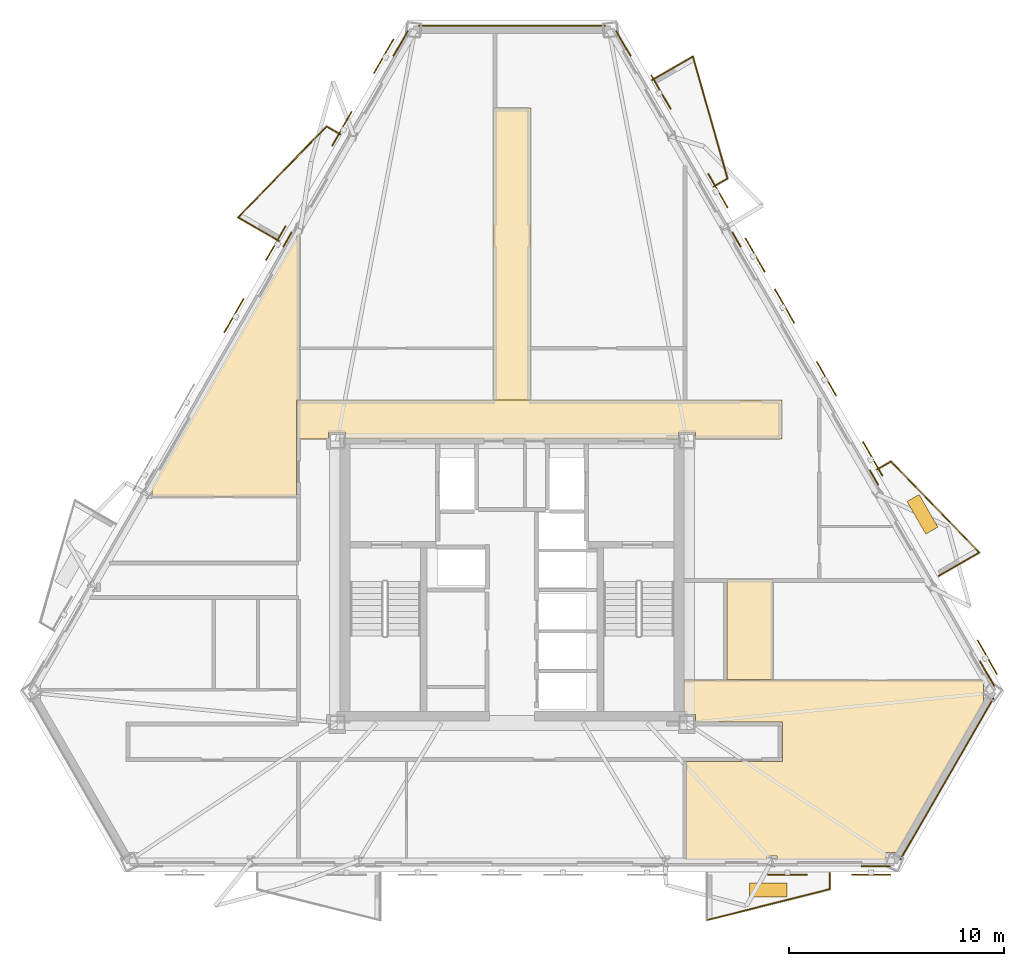
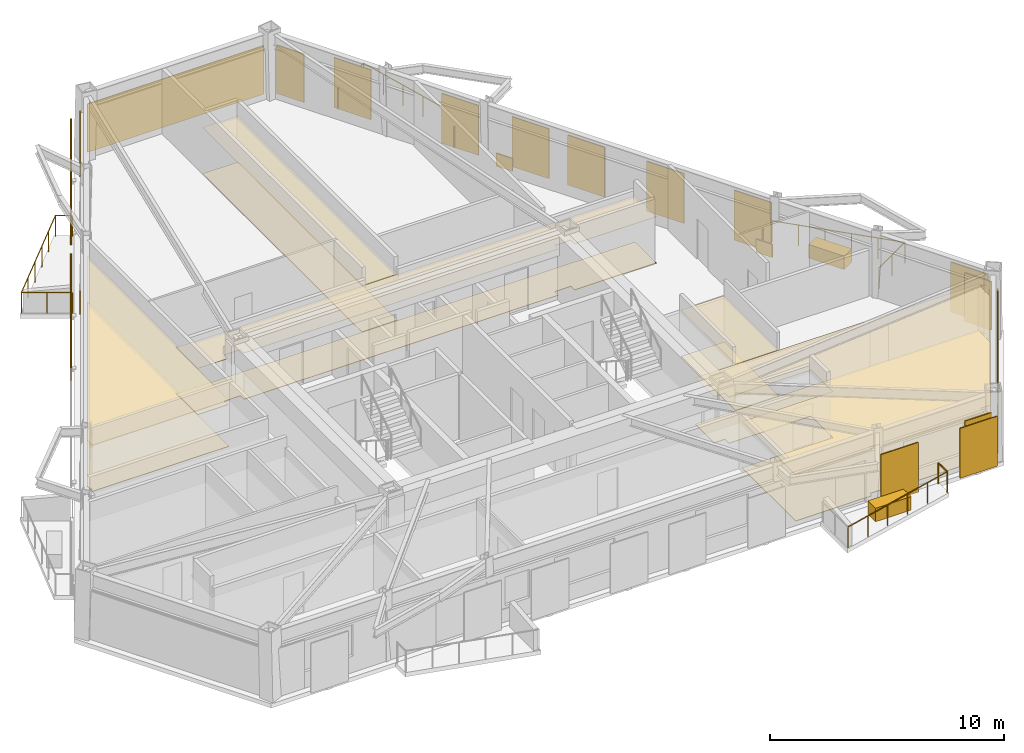
# One storey, part 9 of 9: 21 coverings, 13 shading devices, 11 railings.
"""IFC4 building model written with IfcOpenShell, lengths in metres."""

from ifc_helpers import new_model, si_unit, direction, frame, origin, origin_2d, place, context, subcontext, project, spatial, polyline, rectangle, circle, outline, extrude, material, layer, layer_set, type_object, element, save


model = new_model("IFC4")

# Units and contexts
model_context = context("Model", 3, precision=1e-05, world=origin(), true_north=direction((0.0, 1.0)))
body_context = subcontext(model_context, "Body", "Model", "MODEL_VIEW")
ifc_project = project(units=[si_unit("LENGTHUNIT", "METRE"), si_unit("AREAUNIT", "SQUARE_METRE"), si_unit("VOLUMEUNIT", "CUBIC_METRE"), si_unit("PLANEANGLEUNIT", "RADIAN"), si_unit("MASSUNIT", "GRAM", prefix="KILO")], contexts=[model_context])

# Site, building, storey
site_placement = place(None, origin())
site = spatial("IfcSite", under=ifc_project, at=site_placement, CompositionType="ELEMENT")
building_placement = place(site_placement, origin())
building = spatial("IfcBuilding", under=site, at=building_placement, Name="Oramaril Tower", CompositionType="ELEMENT")
storey_placement = place(building_placement, frame((0.0, 0.0, 156.60009765625)))
storey = spatial("IfcBuildingStorey", under=building, at=storey_placement, Name="L41", CompositionType="ELEMENT", Elevation=156.60009765625)

# Coverings
ifc_material_1 = material(Name="Mineral Fibre Acoustic Ceiling")
ifc_layer_1 = layer(ifc_material_1, 0.02001953125)
ifc_layer_set_1 = layer_set([ifc_layer_1], Name="CVT-CEIL")
covering_type_1 = type_object("IfcCoveringType", Name="CVT-CEIL", PredefinedType="CEILING", material=ifc_layer_set_1)
covering_1_placement = place(storey_placement, frame((0.0, 0.0, 2.411865234375)))
element("IfcCovering", 1, at=covering_1_placement, inside=storey, type_object=covering_type_1, Name="L41 Acoustic Suspended Ceiling 2", PredefinedType="CEILING", context=body_context, shape_type="SweptSolid", body=[
    extrude(outline(polyline([(50.080078125, 24.239990234375), (46.044921875, 24.239990234375), (46.044921875, 24.544921875), (45.2548828125, 24.544921875), (45.2548828125, 24.25), (29.7451171875, 24.25), (29.7451171875, 24.544921875), (28.955078125, 24.544921875), (28.955078125, 24.239990234375), (27.469970703125, 24.239990234375), (27.469970703125, 26.050048828125), (50.080078125, 26.050048828125), (50.080078125, 24.239990234375)])), origin(), (0.0, 0.0, 1.0), 0.02001953125),
])
covering_2_placement = place(storey_placement, frame((0.0, 0.0, 2.411865234375)))
element("IfcCovering", 2, at=covering_2_placement, inside=storey, type_object=covering_type_1, Name="L41 Acoustic Suspended Ceiling 4", PredefinedType="CEILING", context=body_context, shape_type="SweptSolid", body=[
    extrude(outline(polyline([(38.3798828125, 26.070068359375), (36.6201171875, 26.070068359375), (36.6201171875, 39.679931640625), (38.3798828125, 39.679931640625), (38.3798828125, 26.070068359375)])), origin(), (0.0, 0.0, 1.0), 0.02001953125),
])
covering_3_placement = place(storey_placement, frame((0.0, 0.0, 2.411865234375)))
element("IfcCovering", 3, at=covering_3_placement, inside=storey, type_object=covering_type_1, Name="L41 Acoustic Suspended Ceiling 12", PredefinedType="CEILING", context=body_context, shape_type="SweptSolid", body=[
    extrude(outline(polyline([(20.71728515625, 21.53857421875), (20.71728515625, 21.947021484375), (20.68994140625, 21.947021484375), (27.542724609375, 33.81591796875), (27.592041015625, 33.81591796875), (27.592041015625, 26.070068359375), (27.469970703125, 26.070068359375), (27.468017578125, 26.06982421875), (27.466064453125, 26.069580078125), (27.464111328125, 26.069091796875), (27.46240234375, 26.068603515625), (27.460693359375, 26.067626953125), (27.458984375, 26.066650390625), (27.457275390625, 26.0654296875), (27.455810546875, 26.064208984375), (27.45458984375, 26.062744140625), (27.453369140625, 26.06103515625), (27.452392578125, 26.059326171875), (27.451416015625, 26.0576171875), (27.450927734375, 26.055908203125), (27.450439453125, 26.053955078125), (27.4501953125, 26.052001953125), (27.449951171875, 26.050048828125), (27.449951171875, 24.239990234375), (27.4501953125, 24.238037109375), (27.450439453125, 24.236083984375), (27.450927734375, 24.234130859375), (27.451416015625, 24.232421875), (27.452392578125, 24.230712890625), (27.45263671875, 24.22998046875), (27.452392578125, 24.2294921875), (27.451416015625, 24.227783203125), (27.450927734375, 24.225830078125), (27.450439453125, 24.223876953125), (27.4501953125, 24.221923828125), (27.449951171875, 24.219970703125), (27.449951171875, 21.53857421875), (20.71728515625, 21.53857421875)])), origin(), (0.0, 0.0, 1.0), 0.02001953125),
])
covering_4_placement = place(storey_placement, frame((0.0, 0.0, 2.411865234375)))
element("IfcCovering", 4, at=covering_4_placement, inside=storey, type_object=covering_type_1, Name="L41 Acoustic Suspended Ceiling 14", PredefinedType="CEILING", context=body_context, shape_type="SweptSolid", body=[
    extrude(outline(polyline([(46.044921875, 11.39501953125), (45.51806640625, 11.39501953125), (45.51806640625, 13.015869140625), (59.46630859375, 13.015869140625), (59.56396484375, 12.8466796875), (59.483154296875, 12.8466796875), (59.483154296875, 12.0400390625), (59.525390625, 12.0400390625), (55.43603515625, 4.956787109375), (54.93310546875, 4.956787109375), (54.93310546875, 4.61865234375), (49.84814453125, 4.61865234375), (49.84814453125, 4.80615234375), (49.38671875, 4.80615234375), (49.38671875, 4.61865234375), (45.6220703125, 4.61865234375), (45.6220703125, 9.199951171875), (50.080078125, 9.199951171875), (50.08203125, 9.2001953125), (50.083984375, 9.200439453125), (50.085693359375, 9.200927734375), (50.087646484375, 9.201416015625), (50.08935546875, 9.202392578125), (50.091064453125, 9.203369140625), (50.0927734375, 9.20458984375), (50.093994140625, 9.205810546875), (50.095458984375, 9.207275390625), (50.0966796875, 9.208984375), (50.09765625, 9.210693359375), (50.098388671875, 9.21240234375), (50.09912109375, 9.214111328125), (50.099609375, 9.216064453125), (50.099853515625, 9.218017578125), (50.10009765625, 9.219970703125), (50.10009765625, 11.030029296875), (50.099853515625, 11.031982421875), (50.099609375, 11.033935546875), (50.09912109375, 11.035888671875), (50.098388671875, 11.03759765625), (50.09765625, 11.039306640625), (50.0966796875, 11.041015625), (50.095458984375, 11.042724609375), (50.093994140625, 11.044189453125), (50.0927734375, 11.04541015625), (50.091064453125, 11.046630859375), (50.08935546875, 11.047607421875), (50.087646484375, 11.048583984375), (50.085693359375, 11.049072265625), (50.083984375, 11.049560546875), (50.08203125, 11.0498046875), (50.080078125, 11.050048828125), (46.044921875, 11.050048828125), (46.044921875, 11.39501953125)])), origin(), (0.0, 0.0, 1.0), 0.02001953125),
])
covering_5_placement = place(storey_placement, frame((0.0, 0.0, 2.411865234375)))
element("IfcCovering", 5, at=covering_5_placement, inside=storey, type_object=covering_type_1, Name="L41 Acoustic Suspended Ceiling 16", PredefinedType="CEILING", context=body_context, shape_type="SweptSolid", body=[
    extrude(outline(polyline([(49.659423828125, 17.69189453125), (49.659423828125, 13.035888671875), (47.511962890625, 13.035888671875), (47.511962890625, 17.69189453125), (49.659423828125, 17.69189453125)])), origin(), (0.0, 0.0, 1.0), 0.02001953125),
])
ifc_material_2 = material(Name="Warm Cream Limestone", Category="masonry")
ifc_layer_2 = layer(ifc_material_2, 0.050048828125)
ifc_layer_set_2 = layer_set([ifc_layer_2], Name="CVT-CLD")
covering_type_2 = type_object("IfcCoveringType", Name="CVT-CLD", PredefinedType="CLADDING", material=ifc_layer_set_2)
covering_6_placement = place(storey_placement, frame((54.453125, 4.317626953125, 0.039794921875), z_axis=(0.0, 0.0, 1.0), x_axis=(1.0, 0.0, 0.0)))
element("IfcCovering", 6, at=covering_6_placement, inside=storey, type_object=covering_type_2, Name="L41 Warm Cream Limestone Cladding", PredefinedType="CLADDING", context=body_context, shape_type="SweptSolid", body=[
    extrude(rectangle(XDim=1.35009765625, YDim=0.050048828125, at=origin_2d()), origin(), (0.0, 0.0, 1.0), 2.52001953125),
])
covering_7_placement = place(storey_placement, frame((57.77001953125, 8.397216796875, 0.039794921875), z_axis=(0.0, 0.0, 1.0), x_axis=(0.4999984885, 0.866026276448, 0.0)))
element("IfcCovering", 7, at=covering_7_placement, inside=storey, type_object=covering_type_2, Name="L41 Warm Cream Limestone Cladding", PredefinedType="CLADDING", context=body_context, shape_type="SweptSolid", body=[
    extrude(rectangle(XDim=8.6982421875, YDim=0.050048828125, at=origin_2d()), origin(), (0.0, 0.0, 1.0), 2.52001953125),
])
for number, where, z_axis, x_axis, name in (
    (8, (59.644287109375, 13.30908203125, 0.039794921875), (0.0, 0.0, 1.0), (-0.5, 0.866025403784, 0.0), "L41 Warm Cream Limestone Cladding"),
    (9, (42.691162109375, 42.673095703125, 0.039794921875), (0.0, 0.0, 1.0), (-0.5, 0.866025403784, 0.0), "L41 Warm Cream Limestone Cladding"),
):
    element("IfcCovering", number, at=place(storey_placement, frame(where, z_axis=z_axis, x_axis=x_axis)), inside=storey, type_object=covering_type_2, Name=name, PredefinedType="CLADDING", context=body_context, shape_type="SweptSolid", body=[
        extrude(rectangle(XDim=1.35009765625, YDim=0.050048828125, at=origin_2d()), origin(), (0.0, 0.0, 1.0), 2.52001953125),
    ])
for number, where, z_axis, x_axis, name in (
    (10, (54.372314453125, 22.440673828125, 0.0400390625), (0.0, 0.0, 1.0), (-0.5, 0.866025403784, 0.0), "L41 Warm Cream Limestone Spandrel Cladding"),
    (11, (47.96337890625, 33.54150390625, 0.0400390625), (0.0, 0.0, 1.0), (-0.5, 0.866025403784, 0.0), "L41 Warm Cream Limestone Spandrel Cladding"),
):
    element("IfcCovering", number, at=place(storey_placement, frame(where, z_axis=z_axis, x_axis=x_axis)), inside=storey, type_object=covering_type_2, Name=name, PredefinedType="CLADDING", context=body_context, shape_type="SweptSolid", body=[
        extrude(rectangle(XDim=0.800048828125, YDim=0.050048828125, at=origin_2d()), origin(), (0.0, 0.0, 1.0), 0.679931640625),
    ])
covering_8_placement = place(storey_placement, frame((37.5, 43.505615234375, 0.039794921875), z_axis=(0.0, 0.0, 1.0), x_axis=(-1.0, 0.0, 0.0)))
element("IfcCovering", 12, at=covering_8_placement, inside=storey, type_object=covering_type_2, Name="L41 Warm Cream Limestone Cladding", PredefinedType="CLADDING", context=body_context, shape_type="SweptSolid", body=[
    extrude(rectangle(XDim=8.6982421875, YDim=0.050048828125, at=origin_2d()), origin(), (0.0, 0.0, 1.0), 2.52001953125),
])
covering_9_placement = place(storey_placement, frame((32.308837890625, 42.673095703125, 0.039794921875), z_axis=(0.0, 0.0, 1.0), x_axis=(-0.5, -0.866025403784, 0.0)))
element("IfcCovering", 13, at=covering_9_placement, inside=storey, type_object=covering_type_2, Name="L41 Warm Cream Limestone Cladding", PredefinedType="CLADDING", context=body_context, shape_type="SweptSolid", body=[
    extrude(rectangle(XDim=1.35009765625, YDim=0.050048828125, at=origin_2d()), origin(), (0.0, 0.0, 1.0), 2.52001953125),
])
covering_10_placement = place(storey_placement, frame((27.03662109375, 33.54150390625, 0.0400390625), z_axis=(0.0, 0.0, 1.0), x_axis=(-0.5, -0.866025403784, 0.0)))
element("IfcCovering", 14, at=covering_10_placement, inside=storey, type_object=covering_type_2, Name="L41 Warm Cream Limestone Spandrel Cladding", PredefinedType="CLADDING", context=body_context, shape_type="SweptSolid", body=[
    extrude(rectangle(XDim=0.800048828125, YDim=0.050048828125, at=origin_2d()), origin(), (0.0, 0.0, 1.0), 0.679931640625),
])
for number, where, z_axis, x_axis, name in (
    (15, (49.44384765625, 3.214111328125, 0.0), (0.0, 0.0, 1.0), (1.0, 0.0, 0.0), "L41 Structural Tree Planter Box L41-BAL-S2"),
    (16, (56.633056640625, 20.732421875, 0.0), (0.0, 0.0, 1.0), (-0.5, 0.866025403784, 0.0), "L41 Structural Tree Planter Box L41-BAL-NE1"),
):
    element("IfcCovering", number, at=place(storey_placement, frame(where, z_axis=z_axis, x_axis=x_axis)), inside=storey, type_object=covering_type_2, Name=name, PredefinedType="CLADDING", context=body_context, shape_type="SweptSolid", body=[
        extrude(rectangle(XDim=1.75, YDim=0.64990234375, at=origin_2d()), origin(), (0.0, 0.0, 1.0), 0.699951171875),
    ])
ifc_material_3 = material(Name="Honed Quartzite Stone Flooring", Category="masonry")
ifc_layer_3 = layer(ifc_material_3, 0.02490234375)
ifc_layer_set_3 = layer_set([ifc_layer_3], Name="CVT-FLR")
covering_type_3 = type_object("IfcCoveringType", Name="CVT-FLR", PredefinedType="FLOORING", material=ifc_layer_set_3)
covering_11_placement = place(storey_placement, origin())
element("IfcCovering", 17, at=covering_11_placement, inside=storey, type_object=covering_type_3, Name="L41 Honed Stone Floor Finish 2", PredefinedType="FLOORING", context=body_context, shape_type="SweptSolid", body=[
    extrude(outline(polyline([(50.080078125, 24.239990234375), (46.044921875, 24.239990234375), (46.044921875, 24.544921875), (45.2548828125, 24.544921875), (45.2548828125, 24.25), (29.7451171875, 24.25), (29.7451171875, 24.544921875), (28.955078125, 24.544921875), (28.955078125, 24.239990234375), (27.469970703125, 24.239990234375), (27.469970703125, 26.050048828125), (50.080078125, 26.050048828125), (50.080078125, 24.239990234375)])), origin(), (0.0, 0.0, 1.0), 0.02490234375),
])
covering_12_placement = place(storey_placement, origin())
element("IfcCovering", 18, at=covering_12_placement, inside=storey, type_object=covering_type_3, Name="L41 Honed Stone Floor Finish 4", PredefinedType="FLOORING", context=body_context, shape_type="SweptSolid", body=[
    extrude(outline(polyline([(38.3798828125, 26.070068359375), (36.6201171875, 26.070068359375), (36.6201171875, 39.679931640625), (38.3798828125, 39.679931640625), (38.3798828125, 26.070068359375)])), origin(), (0.0, 0.0, 1.0), 0.02490234375),
])
covering_13_placement = place(storey_placement, origin())
element("IfcCovering", 19, at=covering_13_placement, inside=storey, type_object=covering_type_3, Name="L41 Honed Stone Floor Finish 12", PredefinedType="FLOORING", context=body_context, shape_type="SweptSolid", body=[
    extrude(outline(polyline([(20.71728515625, 21.53857421875), (20.71728515625, 21.947021484375), (20.68994140625, 21.947021484375), (27.542724609375, 33.81591796875), (27.592041015625, 33.81591796875), (27.592041015625, 26.070068359375), (27.469970703125, 26.070068359375), (27.468017578125, 26.06982421875), (27.466064453125, 26.069580078125), (27.464111328125, 26.069091796875), (27.46240234375, 26.068603515625), (27.460693359375, 26.067626953125), (27.458984375, 26.066650390625), (27.457275390625, 26.0654296875), (27.455810546875, 26.064208984375), (27.45458984375, 26.062744140625), (27.453369140625, 26.06103515625), (27.452392578125, 26.059326171875), (27.451416015625, 26.0576171875), (27.450927734375, 26.055908203125), (27.450439453125, 26.053955078125), (27.4501953125, 26.052001953125), (27.449951171875, 26.050048828125), (27.449951171875, 24.239990234375), (27.4501953125, 24.238037109375), (27.450439453125, 24.236083984375), (27.450927734375, 24.234130859375), (27.451416015625, 24.232421875), (27.452392578125, 24.230712890625), (27.45263671875, 24.22998046875), (27.452392578125, 24.2294921875), (27.451416015625, 24.227783203125), (27.450927734375, 24.225830078125), (27.450439453125, 24.223876953125), (27.4501953125, 24.221923828125), (27.449951171875, 24.219970703125), (27.449951171875, 21.53857421875), (20.71728515625, 21.53857421875)])), origin(), (0.0, 0.0, 1.0), 0.02490234375),
])
covering_14_placement = place(storey_placement, origin())
element("IfcCovering", 20, at=covering_14_placement, inside=storey, type_object=covering_type_3, Name="L41 Honed Stone Floor Finish 14", PredefinedType="FLOORING", context=body_context, shape_type="SweptSolid", body=[
    extrude(outline(polyline([(46.044921875, 11.39501953125), (45.51806640625, 11.39501953125), (45.51806640625, 13.015869140625), (59.46630859375, 13.015869140625), (59.56396484375, 12.8466796875), (59.483154296875, 12.8466796875), (59.483154296875, 12.0400390625), (59.525390625, 12.0400390625), (55.43603515625, 4.956787109375), (54.93310546875, 4.956787109375), (54.93310546875, 4.61865234375), (49.84814453125, 4.61865234375), (49.84814453125, 4.80615234375), (49.38671875, 4.80615234375), (49.38671875, 4.61865234375), (45.6220703125, 4.61865234375), (45.6220703125, 9.199951171875), (50.080078125, 9.199951171875), (50.08203125, 9.2001953125), (50.083984375, 9.200439453125), (50.085693359375, 9.200927734375), (50.087646484375, 9.201416015625), (50.08935546875, 9.202392578125), (50.091064453125, 9.203369140625), (50.0927734375, 9.20458984375), (50.093994140625, 9.205810546875), (50.095458984375, 9.207275390625), (50.0966796875, 9.208984375), (50.09765625, 9.210693359375), (50.098388671875, 9.21240234375), (50.09912109375, 9.214111328125), (50.099609375, 9.216064453125), (50.099853515625, 9.218017578125), (50.10009765625, 9.219970703125), (50.10009765625, 11.030029296875), (50.099853515625, 11.031982421875), (50.099609375, 11.033935546875), (50.09912109375, 11.035888671875), (50.098388671875, 11.03759765625), (50.09765625, 11.039306640625), (50.0966796875, 11.041015625), (50.095458984375, 11.042724609375), (50.093994140625, 11.044189453125), (50.0927734375, 11.04541015625), (50.091064453125, 11.046630859375), (50.08935546875, 11.047607421875), (50.087646484375, 11.048583984375), (50.085693359375, 11.049072265625), (50.083984375, 11.049560546875), (50.08203125, 11.0498046875), (50.080078125, 11.050048828125), (46.044921875, 11.050048828125), (46.044921875, 11.39501953125)])), origin(), (0.0, 0.0, 1.0), 0.02490234375),
])
covering_15_placement = place(storey_placement, origin())
element("IfcCovering", 21, at=covering_15_placement, inside=storey, type_object=covering_type_3, Name="L41 Honed Stone Floor Finish 16", PredefinedType="FLOORING", context=body_context, shape_type="SweptSolid", body=[
    extrude(outline(polyline([(49.659423828125, 17.69189453125), (49.659423828125, 13.035888671875), (47.511962890625, 13.035888671875), (47.511962890625, 17.69189453125), (49.659423828125, 17.69189453125)])), origin(), (0.0, 0.0, 1.0), 0.02490234375),
])

# Railings
ifc_material_4 = material(Name="Stainless Steel 316L", Category="steel")
railing_type = type_object("IfcRailingType", Name="RLT-GRD", PredefinedType="GUARDRAIL", material=ifc_material_4)
railing_1_placement = place(storey_placement, frame((52.308837890625, 4.002685546875, 0.0)))
element("IfcRailing", 22, at=railing_1_placement, inside=storey, type_object=railing_type, Name="L41 Balcony Guardrail L41-BAL-S2.1", PredefinedType="GUARDRAIL", context=body_context, shape_type="SweptSolid", body=[
    extrude(circle(Radius=0.02392578125, at=origin_2d()), frame((0.0, 0.0, 1.076171875), z_axis=(0.0, -1.0, 0.0), x_axis=(1.0, 0.0, 0.0)), (0.0, 0.0, 1.0), 0.741943359375),
    extrude(circle(Radius=0.02099609375, at=origin_2d()), origin(), (0.0, 0.0, 1.0), 1.052001953125),
    extrude(circle(Radius=0.02099609375, at=origin_2d()), frame((0.0, -0.741943359375, 0.0)), (0.0, 0.0, 1.0), 1.052001953125),
])
railing_2_placement = place(storey_placement, frame((52.308837890625, 3.2607421875, 0.0)))
element("IfcRailing", 23, at=railing_2_placement, inside=storey, type_object=railing_type, Name="L41 Balcony Guardrail L41-BAL-S2.2", PredefinedType="GUARDRAIL", context=body_context, shape_type="SweptSolid", body=[
    extrude(circle(Radius=0.02392578125, at=origin_2d()), frame((0.0, 0.0, 1.076171875), z_axis=(-0.969443611257, -0.245314256807, 0.0), x_axis=(0.245314256807, -0.969443611257, 0.0)), (0.0, 0.0, 1.0), 5.91064453125),
    extrude(circle(Radius=0.02099609375, at=origin_2d()), origin(), (0.0, 0.0, 1.0), 1.052001953125),
    extrude(circle(Radius=0.02099609375, at=origin_2d()), frame((-1.14599609375, -0.2900390625, 0.0)), (0.0, 0.0, 1.0), 1.052001953125),
    extrude(circle(Radius=0.02099609375, at=origin_2d()), frame((-2.2919921875, -0.580078125, 0.0)), (0.0, 0.0, 1.0), 1.052001953125),
    extrude(circle(Radius=0.02099609375, at=origin_2d()), frame((-3.43798828125, -0.869873046875, 0.0)), (0.0, 0.0, 1.0), 1.052001953125),
    extrude(circle(Radius=0.02099609375, at=origin_2d()), frame((-4.583984375, -1.159912109375, 0.0)), (0.0, 0.0, 1.0), 1.052001953125),
    extrude(circle(Radius=0.02099609375, at=origin_2d()), frame((-5.72998046875, -1.449951171875, 0.0)), (0.0, 0.0, 1.0), 1.052001953125),
])
railing_3_placement = place(storey_placement, frame((54.517578125, 22.8193359375, 0.0)))
element("IfcRailing", 24, at=railing_3_placement, inside=storey, type_object=railing_type, Name="L41 Balcony Guardrail L41-BAL-NE1.1", PredefinedType="GUARDRAIL", context=body_context, shape_type="SweptSolid", body=[
    extrude(circle(Radius=0.02392578125, at=origin_2d()), frame((0.0, 0.0, 1.076171875), z_axis=(0.866108878364, 0.499855389907, 0.0), x_axis=(-0.499855389907, 0.866108878364, 0.0)), (0.0, 0.0, 1.0), 0.741943359375),
    extrude(circle(Radius=0.02099609375, at=origin_2d()), origin(), (0.0, 0.0, 1.0), 1.052001953125),
    extrude(circle(Radius=0.02099609375, at=origin_2d()), frame((0.642578125, 0.370849609375, 0.0)), (0.0, 0.0, 1.0), 1.052001953125),
])
railing_4_placement = place(storey_placement, frame((55.16015625, 23.190185546875, 0.0)))
element("IfcRailing", 25, at=railing_4_placement, inside=storey, type_object=railing_type, Name="L41 Balcony Guardrail L41-BAL-NE1.2", PredefinedType="GUARDRAIL", context=body_context, shape_type="SweptSolid", body=[
    extrude(circle(Radius=0.02392578125, at=origin_2d()), frame((0.0, 0.0, 1.076171875), z_axis=(0.697186915353, -0.716889395277, 0.0), x_axis=(0.716889395277, 0.697186915353, 0.0)), (0.0, 0.0, 1.0), 5.91064453125),
    extrude(circle(Radius=0.02099609375, at=origin_2d()), origin(), (0.0, 0.0, 1.0), 1.052001953125),
    extrude(circle(Radius=0.02099609375, at=origin_2d()), frame((0.82421875, -0.847412109375, 0.0)), (0.0, 0.0, 1.0), 1.052001953125),
    extrude(circle(Radius=0.02099609375, at=origin_2d()), frame((1.6484375, -1.69482421875, 0.0)), (0.0, 0.0, 1.0), 1.052001953125),
    extrude(circle(Radius=0.02099609375, at=origin_2d()), frame((2.472412109375, -2.54248046875, 0.0)), (0.0, 0.0, 1.0), 1.052001953125),
    extrude(circle(Radius=0.02099609375, at=origin_2d()), frame((3.296630859375, -3.389892578125, 0.0)), (0.0, 0.0, 1.0), 1.052001953125),
    extrude(circle(Radius=0.02099609375, at=origin_2d()), frame((4.120849609375, -4.2373046875, 0.0)), (0.0, 0.0, 1.0), 1.052001953125),
])
railing_5_placement = place(storey_placement, frame((59.281005859375, 18.952880859375, 0.0)))
element("IfcRailing", 26, at=railing_5_placement, inside=storey, type_object=railing_type, Name="L41 Balcony Guardrail L41-BAL-NE1.3", PredefinedType="GUARDRAIL", context=body_context, shape_type="SweptSolid", body=[
    extrude(circle(Radius=0.02392578125, at=origin_2d()), frame((0.0, 0.0, 1.076171875), z_axis=(-0.866048343933, -0.499960264392, 0.0), x_axis=(0.499960264392, -0.866048343933, 0.0)), (0.0, 0.0, 1.0), 2.192138671875),
    extrude(circle(Radius=0.02099609375, at=origin_2d()), origin(), (0.0, 0.0, 1.0), 1.052001953125),
    extrude(circle(Radius=0.02099609375, at=origin_2d()), frame((-0.94921875, -0.5478515625, 0.0)), (0.0, 0.0, 1.0), 1.052001953125),
    extrude(circle(Radius=0.02099609375, at=origin_2d()), frame((-1.8984375, -1.095947265625, 0.0)), (0.0, 0.0, 1.0), 1.052001953125),
])
railing_6_placement = place(storey_placement, frame((44.036376953125, 40.973388671875, 0.0)))
element("IfcRailing", 27, at=railing_6_placement, inside=storey, type_object=railing_type, Name="L41 Balcony Guardrail L41-BAL-NE2.1", PredefinedType="GUARDRAIL", context=body_context, shape_type="SweptSolid", body=[
    extrude(circle(Radius=0.02392578125, at=origin_2d()), frame((0.0, 0.0, 1.076171875), z_axis=(0.866020500697, 0.5000084923, 0.0), x_axis=(-0.5000084923, 0.866020500697, 0.0)), (0.0, 0.0, 1.0), 2.19189453125),
    extrude(circle(Radius=0.02099609375, at=origin_2d()), origin(), (0.0, 0.0, 1.0), 1.052001953125),
    extrude(circle(Radius=0.02099609375, at=origin_2d()), frame((0.94921875, 0.5478515625, 0.0)), (0.0, 0.0, 1.0), 1.052001953125),
    extrude(circle(Radius=0.02099609375, at=origin_2d()), frame((1.898193359375, 1.095947265625, 0.0)), (0.0, 0.0, 1.0), 1.052001953125),
])
railing_7_placement = place(storey_placement, frame((45.9345703125, 42.0693359375, 0.0)))
element("IfcRailing", 28, at=railing_7_placement, inside=storey, type_object=railing_type, Name="L41 Balcony Guardrail L41-BAL-NE2.2", PredefinedType="GUARDRAIL", context=body_context, shape_type="SweptSolid", body=[
    extrude(circle(Radius=0.02392578125, at=origin_2d()), frame((0.0, 0.0, 1.076171875), z_axis=(0.27224886544, -0.962226873074, 0.0), x_axis=(0.962226873074, 0.27224886544, 0.0)), (0.0, 0.0, 1.0), 5.910400390625),
    extrude(circle(Radius=0.02099609375, at=origin_2d()), origin(), (0.0, 0.0, 1.0), 1.052001953125),
    extrude(circle(Radius=0.02099609375, at=origin_2d()), frame((0.32177734375, -1.137451171875, 0.0)), (0.0, 0.0, 1.0), 1.052001953125),
    extrude(circle(Radius=0.02099609375, at=origin_2d()), frame((0.6435546875, -2.27490234375, 0.0)), (0.0, 0.0, 1.0), 1.052001953125),
    extrude(circle(Radius=0.02099609375, at=origin_2d()), frame((0.965576171875, -3.412353515625, 0.0)), (0.0, 0.0, 1.0), 1.052001953125),
    extrude(circle(Radius=0.02099609375, at=origin_2d()), frame((1.287353515625, -4.5498046875, 0.0)), (0.0, 0.0, 1.0), 1.052001953125),
    extrude(circle(Radius=0.02099609375, at=origin_2d()), frame((1.609130859375, -5.687255859375, 0.0)), (0.0, 0.0, 1.0), 1.052001953125),
])
railing_8_placement = place(storey_placement, frame((47.543701171875, 36.382080078125, 0.0)))
element("IfcRailing", 29, at=railing_8_placement, inside=storey, type_object=railing_type, Name="L41 Balcony Guardrail L41-BAL-NE2.3", PredefinedType="GUARDRAIL", context=body_context, shape_type="SweptSolid", body=[
    extrude(circle(Radius=0.02392578125, at=origin_2d()), frame((0.0, 0.0, 1.076171875), z_axis=(-0.866026623601, -0.49999788721, 0.0), x_axis=(0.49999788721, -0.866026623601, 0.0)), (0.0, 0.0, 1.0), 0.74169921875),
    extrude(circle(Radius=0.02099609375, at=origin_2d()), origin(), (0.0, 0.0, 1.0), 1.052001953125),
    extrude(circle(Radius=0.02099609375, at=origin_2d()), frame((-0.642333984375, -0.370849609375, 0.0)), (0.0, 0.0, 1.0), 1.052001953125),
])
railing_9_placement = place(storey_placement, frame((26.63623046875, 33.47802734375, 0.0)))
element("IfcRailing", 30, at=railing_9_placement, inside=storey, type_object=railing_type, Name="L41 Balcony Guardrail L41-BAL-NW1.1", PredefinedType="GUARDRAIL", context=body_context, shape_type="SweptSolid", body=[
    extrude(circle(Radius=0.02392578125, at=origin_2d()), frame((0.0, 0.0, 1.076171875), z_axis=(-0.866048343933, 0.499960264392, 0.0), x_axis=(-0.499960264392, -0.866048343933, 0.0)), (0.0, 0.0, 1.0), 2.192138671875),
    extrude(circle(Radius=0.02099609375, at=origin_2d()), origin(), (0.0, 0.0, 1.0), 1.052001953125),
    extrude(circle(Radius=0.02099609375, at=origin_2d()), frame((-0.94921875, 0.5478515625, 0.0)), (0.0, 0.0, 1.0), 1.052001953125),
    extrude(circle(Radius=0.02099609375, at=origin_2d()), frame((-1.8984375, 1.095947265625, 0.0)), (0.0, 0.0, 1.0), 1.052001953125),
])
railing_10_placement = place(storey_placement, frame((24.73779296875, 34.573974609375, 0.0)))
element("IfcRailing", 31, at=railing_10_placement, inside=storey, type_object=railing_type, Name="L41 Balcony Guardrail L41-BAL-NW1.2", PredefinedType="GUARDRAIL", context=body_context, shape_type="SweptSolid", body=[
    extrude(circle(Radius=0.02392578125, at=origin_2d()), frame((0.0, 0.0, 1.076171875), z_axis=(0.697186915353, 0.716889395277, 0.0), x_axis=(-0.716889395277, 0.697186915353, 0.0)), (0.0, 0.0, 1.0), 5.91064453125),
    extrude(circle(Radius=0.02099609375, at=origin_2d()), origin(), (0.0, 0.0, 1.0), 1.052001953125),
    extrude(circle(Radius=0.02099609375, at=origin_2d()), frame((0.82421875, 0.847412109375, 0.0)), (0.0, 0.0, 1.0), 1.052001953125),
    extrude(circle(Radius=0.02099609375, at=origin_2d()), frame((1.6484375, 1.69482421875, 0.0)), (0.0, 0.0, 1.0), 1.052001953125),
    extrude(circle(Radius=0.02099609375, at=origin_2d()), frame((2.472412109375, 2.54248046875, 0.0)), (0.0, 0.0, 1.0), 1.052001953125),
    extrude(circle(Radius=0.02099609375, at=origin_2d()), frame((3.296630859375, 3.389892578125, 0.0)), (0.0, 0.0, 1.0), 1.052001953125),
    extrude(circle(Radius=0.02099609375, at=origin_2d()), frame((4.120849609375, 4.2373046875, 0.0)), (0.0, 0.0, 1.0), 1.052001953125),
])
railing_11_placement = place(storey_placement, frame((28.858642578125, 38.811279296875, 0.0)))
element("IfcRailing", 32, at=railing_11_placement, inside=storey, type_object=railing_type, Name="L41 Balcony Guardrail L41-BAL-NW1.3", PredefinedType="GUARDRAIL", context=body_context, shape_type="SweptSolid", body=[
    extrude(circle(Radius=0.02392578125, at=origin_2d()), frame((0.0, 0.0, 1.076171875), z_axis=(0.865966403178, -0.500102178127, 0.0), x_axis=(0.500102178127, 0.865966403178, 0.0)), (0.0, 0.0, 1.0), 0.741943359375),
    extrude(circle(Radius=0.02099609375, at=origin_2d()), origin(), (0.0, 0.0, 1.0), 1.052001953125),
    extrude(circle(Radius=0.02099609375, at=origin_2d()), frame((0.642578125, -0.37109375, 0.0)), (0.0, 0.0, 1.0), 1.052001953125),
])

# Shading devices
for number, where, z_axis, x_axis, name in (
    (33, (50.341796875, 3.9306640625, -0.020263671875), (0.0, 0.0, 1.0), (1.0, 0.0, 0.0), "L41 Perforated Ceramic Solar Screen"),
    (34, (54.241943359375, 3.9306640625, -0.020263671875), (0.0, 0.0, 1.0), (1.0, 0.0, 0.0), "L41 Perforated Ceramic Solar Screen"),
    (35, (59.653076171875, 14.068359375, -0.020263671875), (0.0, 0.0, 1.0), (-0.5, 0.866025403784, 0.0), "L41 Perforated Ceramic Solar Screen"),
    (36, (52.15771484375, 27.050537109375, -0.020263671875), (0.0, 0.0, 1.0), (-0.5, 0.866025403784, 0.0), "L41 Perforated Ceramic Solar Screen"),
    (37, (50.207763671875, 30.427978515625, -0.020263671875), (0.0, 0.0, 1.0), (-0.5, 0.866025403784, 0.0), "L41 Perforated Ceramic Solar Screen"),
    (38, (48.832763671875, 32.8095703125, -0.020263671875), (0.0, 0.0, 1.0), (-0.5, 0.866025403784, 0.0), "L41 Perforated Ceramic Solar Screen"),
    (39, (54.31201171875, 23.3193359375, -0.020263671875), (0.0, 0.0, 1.0), (-0.5, 0.866025403784, 0.0), "L41 Perforated Ceramic Solar Screen"),
    (40, (47.09814453125, 35.814208984375, -0.020263671875), (0.0, 0.0, 1.0), (-0.5, 0.866025403784, 0.0), "L41 Perforated Ceramic Solar Screen"),
    (41, (44.443603515625, 40.411865234375, -0.020263671875), (0.0, 0.0, 1.0), (-0.5, 0.866025403784, 0.0), "L41 Perforated Ceramic Solar Screen"),
    (42, (26.489501953125, 33.367919921875, -0.020263671875), (0.0, 0.0, 1.0), (-0.5, -0.866025403784, 0.0), "L41 Perforated Ceramic Solar Screen"),
    (43, (24.53955078125, 29.990234375, -0.020263671875), (0.0, 0.0, 1.0), (-0.5, -0.866025403784, 0.0), "L41 Perforated Ceramic Solar Screen"),
    (44, (31.5205078125, 42.08154296875, -0.020263671875), (0.0, 0.0, 1.0), (-0.5, -0.866025403784, 0.0), "L41 Perforated Ceramic Solar Screen"),
    (45, (29.5703125, 38.7041015625, -0.020263671875), (0.0, 0.0, 1.0), (-0.5, -0.866025403784, 0.0), "L41 Perforated Ceramic Solar Screen"),
):
    element("IfcShadingDevice", number, at=place(storey_placement, frame(where, z_axis=z_axis, x_axis=x_axis)), inside=storey, Name=name, ObjectType="SCREEN", PredefinedType="USERDEFINED", context=body_context, shape_type="SweptSolid", body=[
        extrude(rectangle(XDim=1.8330078125, YDim=0.050048828125, at=origin_2d()), origin(), (0.0, 0.0, 1.0), 2.60009765625),
    ])

save(model, "model.ifc")
